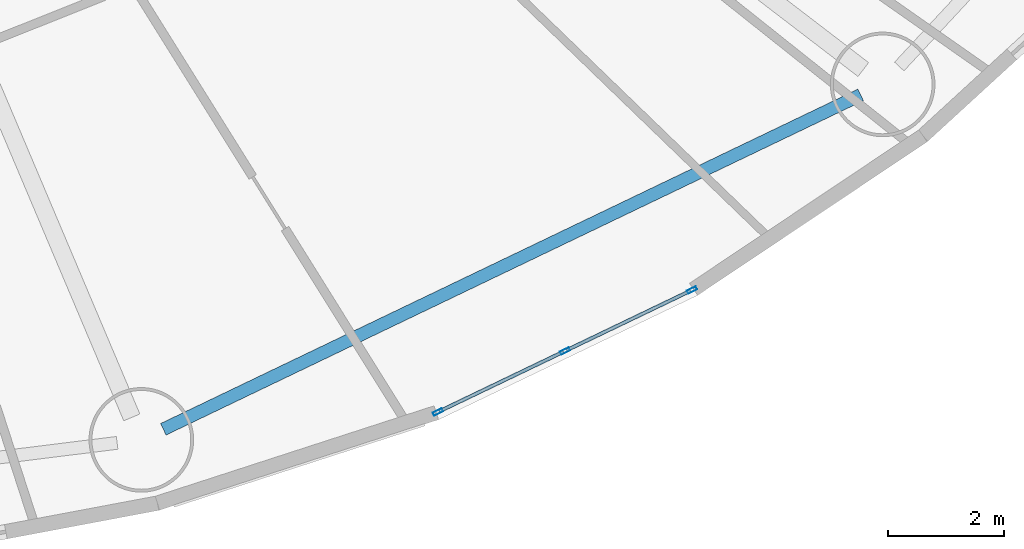
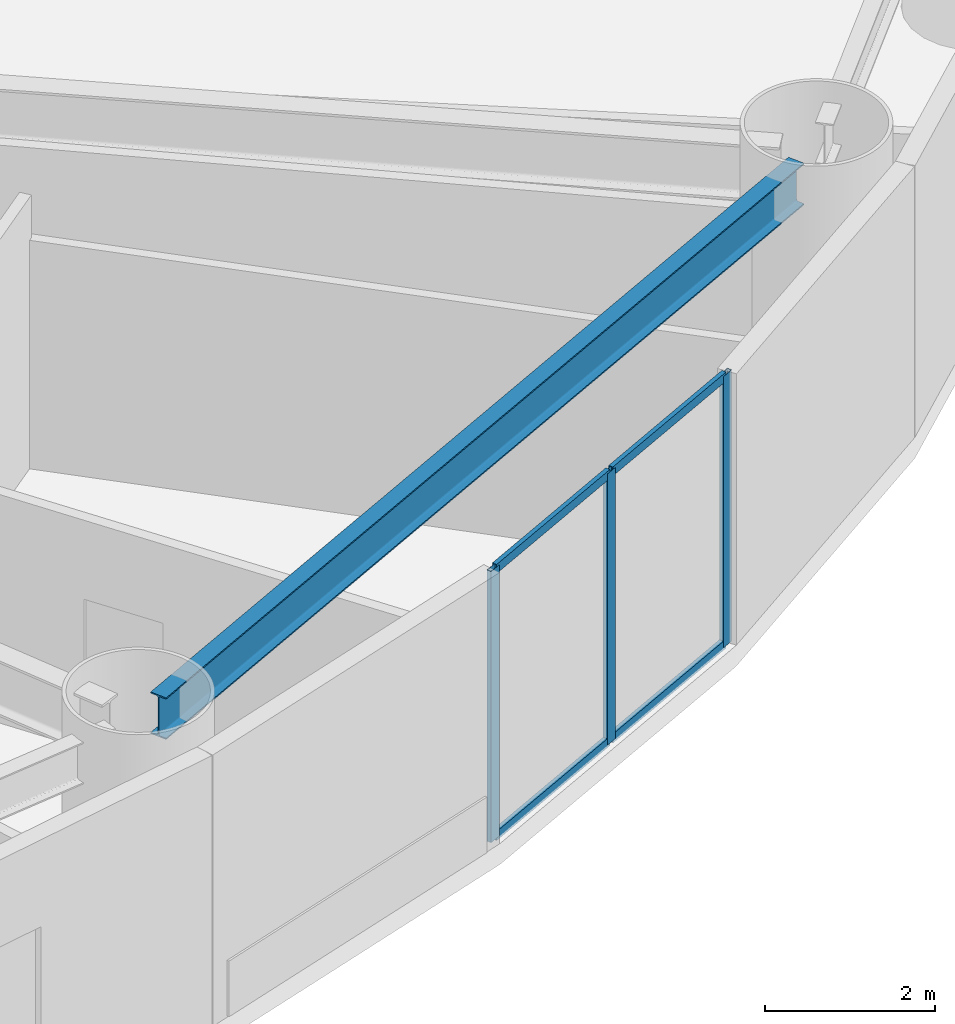
# One storey, part 6 of 30: 7 members, 1 beam, 1 element without a shape of its own.
"""IFC4 building model written with IfcOpenShell, lengths in metres."""

import ifcopenshell
import ifcopenshell.guid

model = None  # the IFC model being written
_history = None  # IfcOwnerHistory: only IFC2X3 demands one
_inside = {}  # id of a spatial element -> (the spatial element, [elements in it])
_under = {}  # id of a project, library or spatial element -> (it, [spatial elements below it])
_declared = {}  # id of a project -> (the project, [libraries it declares])
_typed = {}  # id of a type object -> (the type object, [elements of that type])
_made_of = {}  # id of a material, layer set ... -> (it, [elements and type objects made of it])


def new_model(schema):
    """Start an empty IFC model of exactly this schema.

    Asked for "IFC4X3", IfcOpenShell would pick the latest addendum, in which some entities
    have other attributes; the version numbers below select the first issue.
    IFC2X3 requires an IfcOwnerHistory on every rooted entity: one is made here for all.
    """
    global model, _history
    if schema == "IFC4X3":
        model = ifcopenshell.file(schema_version=(4, 3, 0, 0))
    else:
        model = ifcopenshell.file(schema=schema)
    _inside.clear()
    _under.clear()
    _declared.clear()
    _typed.clear()
    _made_of.clear()
    _history = None
    if model.schema == "IFC2X3":
        org = make("IfcOrganization", Name="unknown")
        user = make(
            "IfcPersonAndOrganization",
            ThePerson=make("IfcPerson", FamilyName="unknown"),
            TheOrganization=org,
        )
        app = make(
            "IfcApplication",
            ApplicationDeveloper=org,
            Version="unknown",
            ApplicationFullName="unknown",
            ApplicationIdentifier="unknown",
        )
        _history = make(
            "IfcOwnerHistory",
            OwningUser=user,
            OwningApplication=app,
            ChangeAction="ADDED",
            CreationDate=0,
        )
    return model


def make(cls, **values):
    """One entity of the class cls with the attributes given. An attribute that is None is left unset."""
    return model.create_entity(
        cls, **{name: value for name, value in values.items() if value is not None}
    )


def rooted(cls, **values):
    """An entity with a GlobalId (a new one), such as an element, a storey or a relation."""
    return make(cls, GlobalId=ifcopenshell.guid.new(), OwnerHistory=_history, **values)


def si_unit(unit_type, name, prefix=None):
    """IfcSIUnit, for example si_unit("LENGTHUNIT", "METRE", prefix="MILLI")."""
    return make("IfcSIUnit", UnitType=unit_type, Prefix=prefix, Name=name)


def assignment(units):
    """IfcUnitAssignment: the units of a project."""
    return None if units is None else make("IfcUnitAssignment", Units=units)


def point(xyz):
    """IfcCartesianPoint."""
    return None if xyz is None else make("IfcCartesianPoint", Coordinates=xyz)


def direction(xyz):
    """IfcDirection."""
    return None if xyz is None else make("IfcDirection", DirectionRatios=xyz)


def frame(location, z_axis=None, x_axis=None):
    """IfcAxis2Placement3D, a coordinate frame: its origin and axes. An axis left out is left unset."""
    return make(
        "IfcAxis2Placement3D",
        Location=point(location),
        Axis=direction(z_axis),
        RefDirection=direction(x_axis),
    )


def frame_2d(location, x_axis=None):
    """IfcAxis2Placement2D, a coordinate frame in the plane: its origin and x axis."""
    return make(
        "IfcAxis2Placement2D", Location=point(location), RefDirection=direction(x_axis)
    )


def origin():
    """The frame at (0, 0, 0) with its axes left unset."""
    return frame((0.0, 0.0, 0.0))


def origin_2d():
    """The frame at (0, 0) in the plane with its x axis left unset."""
    return frame_2d((0.0, 0.0))


def place(relative_to, where):
    """IfcLocalPlacement: puts the frame where relative to a parent placement (None: the world)."""
    return make(
        "IfcLocalPlacement", PlacementRelTo=relative_to, RelativePlacement=where
    )


def context(
    kind, dimensions, precision=None, world=None, true_north=None, identifier=None
):
    """IfcGeometricRepresentationContext, for example the 3D "Model" context."""
    return make(
        "IfcGeometricRepresentationContext",
        ContextIdentifier=identifier,
        ContextType=kind,
        CoordinateSpaceDimension=dimensions,
        Precision=precision,
        WorldCoordinateSystem=world,
        TrueNorth=true_north,
    )


def subcontext(parent, identifier, kind, view, scale=None):
    """IfcGeometricRepresentationSubContext, for example "Body" below "Model"."""
    return make(
        "IfcGeometricRepresentationSubContext",
        ContextIdentifier=identifier,
        ContextType=kind,
        ParentContext=parent,
        TargetScale=scale,
        TargetView=view,
    )


def project(units=None, contexts=None):
    """IfcProject with its units and contexts."""
    return rooted(
        "IfcProject",
        Name="project",
        RepresentationContexts=contexts,
        UnitsInContext=assignment(units),
    )


def spatial(cls, under=None, at=None, **own):
    """A site, building, storey or space (cls), placed at a placement, below another one or the project."""
    s = rooted(cls, ObjectPlacement=at, **own)
    if under is not None:
        _under.setdefault(under.id(), (under, []))[1].append(s)
    return s


def profile(cls, at=None, kind="AREA", **sizes):
    """A parametric profile (cls). Its sizes go by their IFC names, for example OverallWidth=200.0."""
    return make(cls, ProfileType=kind, Position=at, **sizes)


def hollow_rectangle(**sizes):
    """IfcRectangleHollowProfileDef."""
    return profile("IfcRectangleHollowProfileDef", **sizes)


def i_section(**sizes):
    """IfcIShapeProfileDef."""
    return profile("IfcIShapeProfileDef", **sizes)


def extrude(swept, where, along, depth):
    """IfcExtrudedAreaSolid: the profile swept, set in the frame where, extruded along a direction by depth."""
    return make(
        "IfcExtrudedAreaSolid",
        SweptArea=swept,
        Position=where,
        ExtrudedDirection=direction(along),
        Depth=depth,
    )


def shape(context_of_items, identifier, shape_type, items):
    """IfcShapeRepresentation: the items that make up one representation, for example the "Body"."""
    return make(
        "IfcShapeRepresentation",
        ContextOfItems=context_of_items,
        RepresentationIdentifier=identifier,
        RepresentationType=shape_type,
        Items=items,
    )


def source(mapping_origin, context_of_items, identifier, shape_type, items):
    """IfcRepresentationMap: a shape defined once, which mapped items show again and again."""
    return make(
        "IfcRepresentationMap",
        MappingOrigin=mapping_origin,
        MappedRepresentation=shape(context_of_items, identifier, shape_type, items),
    )


def transform(
    local_origin,
    x_axis=None,
    y_axis=None,
    z_axis=None,
    scale=None,
    scale2=None,
    scale3=None,
    uniform=True,
):
    """IfcCartesianTransformationOperator3D, or its non-uniform kind. x_axis, y_axis, z_axis: its Axis1, 2, 3."""
    if uniform:
        return make(
            "IfcCartesianTransformationOperator3D",
            Axis1=direction(x_axis),
            Axis2=direction(y_axis),
            LocalOrigin=point(local_origin),
            Scale=scale,
            Axis3=direction(z_axis),
        )
    return make(
        "IfcCartesianTransformationOperator3DnonUniform",
        Axis1=direction(x_axis),
        Axis2=direction(y_axis),
        LocalOrigin=point(local_origin),
        Scale=scale,
        Axis3=direction(z_axis),
        Scale2=scale2,
        Scale3=scale3,
    )


def mapped(mapping_source, mapping_target):
    """IfcMappedItem: shows the shape of a source again, moved by a transform."""
    return make(
        "IfcMappedItem", MappingSource=mapping_source, MappingTarget=mapping_target
    )


def material(Name=None, Category=None):
    """IfcMaterial."""
    return make("IfcMaterial", Name=Name, Category=Category)


def layer(
    of_material, thickness, ventilated=None, Name=None, Category=None, Priority=None
):
    """IfcMaterialLayer: one layer of a wall or slab, of a material (None: an air gap)."""
    return make(
        "IfcMaterialLayer",
        Material=of_material,
        LayerThickness=thickness,
        IsVentilated=ventilated,
        Name=Name,
        Category=Category,
        Priority=Priority,
    )


def layer_set(layers, Name=None):
    """IfcMaterialLayerSet."""
    return make("IfcMaterialLayerSet", MaterialLayers=layers, LayerSetName=Name)


def material_profile(
    of_material, cross_section, Name=None, Category=None, Priority=None
):
    """IfcMaterialProfile: a cross section and its material."""
    return make(
        "IfcMaterialProfile",
        Name=Name,
        Material=of_material,
        Profile=cross_section,
        Priority=Priority,
        Category=Category,
    )


def profile_set(profiles, Name=None, composite=None):
    """IfcMaterialProfileSet."""
    return make(
        "IfcMaterialProfileSet",
        Name=Name,
        MaterialProfiles=profiles,
        CompositeProfile=composite,
    )


def made_of(thing, what):
    """Note that an element or type object is made of a material, layer set ...; save() writes the relation."""
    if what is not None:
        _made_of.setdefault(what.id(), (what, []))[1].append(thing)
    return thing


def type_object(cls, material=None, **own):
    """A type object (cls), such as IfcWallType, which elements share."""
    return made_of(rooted(cls, **own), material)


def element(
    cls,
    number,
    at=None,
    inside=None,
    cuts=None,
    type_object=None,
    material=None,
    context=None,
    identifier="Body",
    shape_type=None,
    held_by="IfcProductDefinitionShape",
    body=None,
    shapes=None,
    **own,
):
    """One element of the class cls, such as IfcWall. Its Tag is "e" and its number.

    at: its placement. inside: the storey or other place that contains it. cuts: it is an
    opening in that element (IfcRelVoidsElement). A single representation is given by context,
    identifier, shape_type and body (its items); several are given by shapes. held_by: the class
    of the entity that holds the representations. save() writes the other relations.
    """
    e = rooted(cls, Tag="e%d" % number, ObjectPlacement=at, **own)
    if body is not None:
        shapes = [shape(context, identifier, shape_type, body)]
    if shapes is not None:
        e.Representation = make(held_by, Representations=shapes)
    if inside is not None:
        _inside.setdefault(inside.id(), (inside, []))[1].append(e)
    if cuts is not None:
        rooted(
            "IfcRelVoidsElement", RelatingBuildingElement=cuts, RelatedOpeningElement=e
        )
    if type_object is not None:
        _typed.setdefault(type_object.id(), (type_object, []))[1].append(e)
    return made_of(e, material)


def aggregate(whole, parts):
    """IfcRelAggregates: a whole, such as a stair, and the parts it consists of."""
    return rooted("IfcRelAggregates", RelatingObject=whole, RelatedObjects=parts)


def save(model, path):
    """Write the relations noted so far, then the file.

    IfcRelAggregates (storeys below a building ...), IfcRelContainedInSpatialStructure (elements
    in a storey), IfcRelDefinesByType, IfcRelAssociatesMaterial and IfcRelDeclares: one each for
    every whole, place, type object, material and project.
    """
    for whole, parts in _under.values():
        aggregate(whole, parts)
    for where, things in _inside.values():
        rooted(
            "IfcRelContainedInSpatialStructure",
            RelatedElements=things,
            RelatingStructure=where,
        )
    for kind, things in _typed.values():
        rooted("IfcRelDefinesByType", RelatedObjects=things, RelatingType=kind)
    for what, things in _made_of.values():
        rooted("IfcRelAssociatesMaterial", RelatedObjects=things, RelatingMaterial=what)
    for by, libraries in _declared.values():
        rooted("IfcRelDeclares", RelatingContext=by, RelatedDefinitions=libraries)
    model.write(path)


model = new_model("IFC4")

# Units and contexts
model_context = context("Model", 3, precision=1e-05, world=origin(), true_north=direction((0.0, 1.0)))
body_context = subcontext(model_context, "Body", "Model", "MODEL_VIEW")
ifc_project = project(units=[si_unit("LENGTHUNIT", "METRE"), si_unit("AREAUNIT", "SQUARE_METRE"), si_unit("VOLUMEUNIT", "CUBIC_METRE"), si_unit("PLANEANGLEUNIT", "RADIAN"), si_unit("MASSUNIT", "GRAM", prefix="KILO")], contexts=[model_context])

# Site, building, storey
site_placement = place(None, origin())
site = spatial("IfcSite", under=ifc_project, at=site_placement, CompositionType="ELEMENT")
building_placement = place(site_placement, origin())
building = spatial("IfcBuilding", under=site, at=building_placement, Name="Linh Dai School and Residence Tower", CompositionType="ELEMENT")
storey_placement = place(building_placement, frame((0.0, 0.0, 10.199951171875)))
storey = spatial("IfcBuildingStorey", under=building, at=storey_placement, Name="L02", CompositionType="ELEMENT", Elevation=10.199951171875)

# Beam
ifc_material_1 = material(Name="Structural Steel S355JR", Category="steel")
ifc_material_profile_1 = material_profile(ifc_material_1, i_section(OverallWidth=0.219970703125, OverallDepth=0.60009765625, WebThickness=0.011962890625, FlangeThickness=0.01904296875, FilletRadius=0.02392578125, at=origin_2d()), Name="IPE 600")
ifc_profile_set_1 = profile_set([ifc_material_profile_1], Name="Structural Steel S355JR")
beam_type = type_object("IfcBeamType", Name="BM-RB60", PredefinedType="BEAM", material=ifc_profile_set_1)
beam_placement = place(storey_placement, frame((46.329833984375, 3.66552734375, 3.60009765625), z_axis=(0.901703667424, 0.432354595388, 0.0), x_axis=(-0.432354595388, 0.901703667424, 0.0)))
element("IfcBeam", 1, at=beam_placement, inside=storey, type_object=beam_type, Name="L02 Perimeter Elliptical Ring Beam 14", PredefinedType="BEAM", context=body_context, shape_type="SweptSolid", body=[
    extrude(i_section(OverallWidth=0.219970703125, OverallDepth=0.60009765625, WebThickness=0.011962890625, FlangeThickness=0.01904296875, FilletRadius=0.02392578125, at=origin_2d()), origin(), (0.0, 0.0, 1.0), 13.304443359375),
])

# Curtain wall, members
ifc_material_2 = material(Name="Aluminium Anodised Curtain Wall", Category="aluminium")
ifc_layer = layer(ifc_material_2, 0.169921875)
ifc_layer_set = layer_set([ifc_layer], Name="Aluminium Anodised Curtain Wall")
curtain_wall_type = type_object("IfcCurtainWallType", Name="CW-SYS-2", PredefinedType="USERDEFINED", material=ifc_layer_set)
curtain_wall_placement = place(storey_placement, origin())
curtain_wall = element("IfcCurtainWall", 2, at=curtain_wall_placement, inside=storey, type_object=curtain_wall_type, Name="L02 CW2 Curtain Wall 34", ObjectType="UNITISED CURTAIN WALL", PredefinedType="USERDEFINED")
ifc_material_3 = material(Name="Aluminium Alloy 6063-T6", Category="aluminium")
ifc_material_profile_2 = material_profile(ifc_material_3, hollow_rectangle(XDim=0.06005859375, YDim=0.1298828125, WallThickness=0.00390625, at=origin_2d()), Name="RHS 130x60x4")
ifc_profile_set_2 = profile_set([ifc_material_profile_2], Name="Aluminium Alloy 6063-T6")
member_type_1 = type_object("IfcMemberType", Name="CW-SYS-2-TRN", PredefinedType="USERDEFINED", material=ifc_profile_set_2)
shared_shape_1 = source(origin(), body_context, "Body", "SweptSolid", [
    extrude(hollow_rectangle(XDim=0.06005859375, YDim=0.1298828125, WallThickness=0.00390625, at=origin_2d()), origin(), (0.0, 0.0, 1.0), 2.364990234375),
])
member_1_placement = place(storey_placement, frame((55.3984375, 6.04833984375, 0.030029296875), z_axis=(-0.90155688486, -0.432660586791, 0.0), x_axis=(0.432660586791, -0.90155688486, 0.0)))
member_1 = element("IfcMember", 3, at=member_1_placement, type_object=member_type_1, Name="CW2 transom 1.1", ObjectType="TRANSOM", PredefinedType="USERDEFINED", context=body_context, shape_type="MappedRepresentation", body=[
    mapped(shared_shape_1, transform((0.0, 0.0, 0.0), x_axis=(1.0, 0.0, 0.0), y_axis=(0.0, 1.0, 0.0), z_axis=(0.0, 0.0, 1.0), scale=1.0)),
])
member_2_placement = place(storey_placement, frame((55.3984375, 6.04833984375, 3.8701171875), z_axis=(-0.90155688486, -0.432660586791, 0.0), x_axis=(0.432660586791, -0.90155688486, 0.0)))
member_2 = element("IfcMember", 4, at=member_2_placement, type_object=member_type_1, Name="CW2 transom 1.2", ObjectType="TRANSOM", PredefinedType="USERDEFINED", context=body_context, shape_type="MappedRepresentation", body=[
    mapped(shared_shape_1, transform((0.0, 0.0, 0.0), x_axis=(1.0, 0.0, 0.0), y_axis=(0.0, 1.0, 0.0), z_axis=(0.0, 0.0, 1.0), scale=1.0)),
])
member_3_placement = place(storey_placement, frame((53.21240234375, 4.9990234375, 0.030029296875), z_axis=(-0.90155688486, -0.432660586791, 0.0), x_axis=(0.432660586791, -0.90155688486, 0.0)))
member_3 = element("IfcMember", 5, at=member_3_placement, type_object=member_type_1, Name="CW2 transom 2.1", ObjectType="TRANSOM", PredefinedType="USERDEFINED", context=body_context, shape_type="MappedRepresentation", body=[
    mapped(shared_shape_1, transform((0.0, 0.0, 0.0), x_axis=(1.0, 0.0, 0.0), y_axis=(0.0, 1.0, 0.0), z_axis=(0.0, 0.0, 1.0), scale=1.0)),
])
member_4_placement = place(storey_placement, frame((53.21240234375, 4.9990234375, 3.8701171875), z_axis=(-0.90155688486, -0.432660586791, 0.0), x_axis=(0.432660586791, -0.90155688486, 0.0)))
member_4 = element("IfcMember", 6, at=member_4_placement, type_object=member_type_1, Name="CW2 transom 2.2", ObjectType="TRANSOM", PredefinedType="USERDEFINED", context=body_context, shape_type="MappedRepresentation", body=[
    mapped(shared_shape_1, transform((0.0, 0.0, 0.0), x_axis=(1.0, 0.0, 0.0), y_axis=(0.0, 1.0, 0.0), z_axis=(0.0, 0.0, 1.0), scale=1.0)),
])
ifc_material_profile_3 = material_profile(ifc_material_3, hollow_rectangle(XDim=0.06005859375, YDim=0.169921875, WallThickness=0.00390625, at=origin_2d()), Name="RHS 170x60x4")
ifc_profile_set_3 = profile_set([ifc_material_profile_3], Name="Aluminium Alloy 6063-T6")
member_type_2 = type_object("IfcMemberType", Name="CW-SYS-2-MUL", PredefinedType="MULLION", material=ifc_profile_set_3)
shared_shape_2 = source(origin(), body_context, "Body", "SweptSolid", [
    extrude(hollow_rectangle(XDim=0.06005859375, YDim=0.169921875, WallThickness=0.00390625, at=origin_2d()), origin(), (0.0, 0.0, 1.0), 3.900146484375),
])
member_5_placement = place(storey_placement, frame((55.425537109375, 6.061279296875, 0.0), z_axis=(0.0, 0.0, 1.0), x_axis=(0.432657370259, -0.901558428479, 0.0)))
member_5 = element("IfcMember", 7, at=member_5_placement, type_object=member_type_2, Name="CW2 mullion 1", PredefinedType="MULLION", context=body_context, shape_type="MappedRepresentation", body=[
    mapped(shared_shape_2, transform((0.0, 0.0, 0.0), x_axis=(1.0, 0.0, 0.0), y_axis=(0.0, 1.0, 0.0), z_axis=(0.0, 0.0, 1.0), scale=1.0)),
])
member_6_placement = place(storey_placement, frame((53.239501953125, 5.011962890625, 0.0), z_axis=(0.0, 0.0, 1.0), x_axis=(0.432657370259, -0.901558428479, 0.0)))
member_6 = element("IfcMember", 8, at=member_6_placement, type_object=member_type_2, Name="CW2 mullion 2", PredefinedType="MULLION", context=body_context, shape_type="MappedRepresentation", body=[
    mapped(shared_shape_2, transform((0.0, 0.0, 0.0), x_axis=(1.0, 0.0, 0.0), y_axis=(0.0, 1.0, 0.0), z_axis=(0.0, 0.0, 1.0), scale=1.0)),
])
member_7_placement = place(storey_placement, frame((51.05322265625, 3.962890625, 0.0), z_axis=(0.0, 0.0, 1.0), x_axis=(0.432657370259, -0.901558428479, 0.0)))
member_7 = element("IfcMember", 9, at=member_7_placement, type_object=member_type_2, Name="CW2 mullion 3", PredefinedType="MULLION", context=body_context, shape_type="MappedRepresentation", body=[
    mapped(shared_shape_2, transform((0.0, 0.0, 0.0), x_axis=(1.0, 0.0, 0.0), y_axis=(0.0, 1.0, 0.0), z_axis=(0.0, 0.0, 1.0), scale=1.0)),
])
aggregate(curtain_wall, [member_5, member_6, member_7, member_1, member_2, member_3, member_4])

save(model, "model.ifc")
